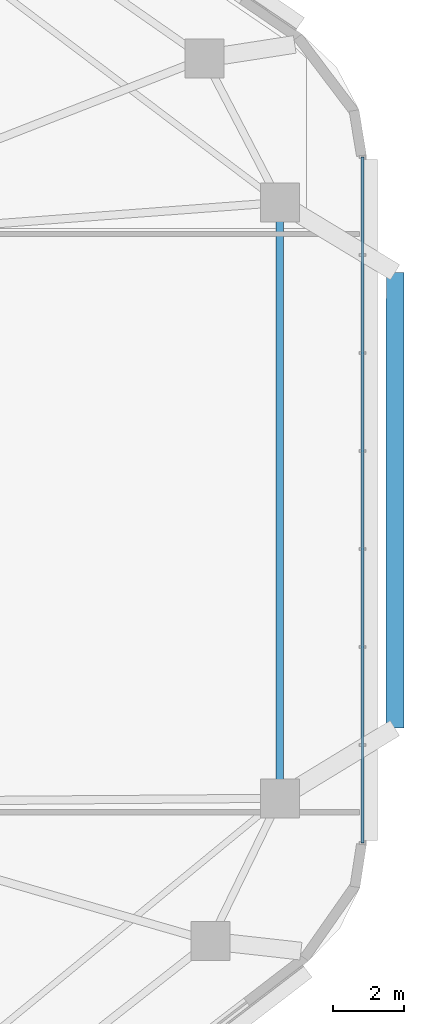
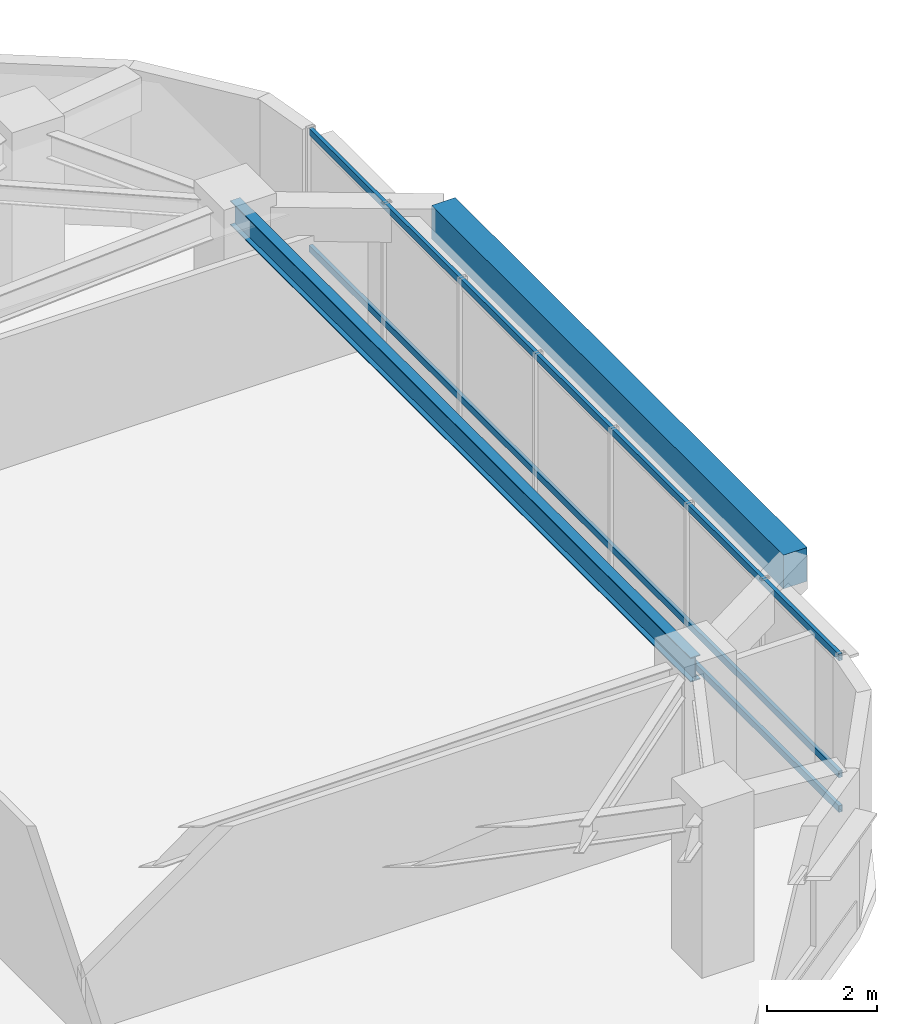
# One storey, part 3 of 14: 3 members, 2 beams, 1 element without a shape of its own.
"""IFC4 building model written with IfcOpenShell, lengths in metres."""

from ifc_helpers import new_model, si_unit, direction, frame, origin, origin_2d, place, context, subcontext, project, spatial, rectangle, hollow_rectangle, i_section, extrude, material, material_profile, profile_set, type_object, element, aggregate, save


model = new_model("IFC4")

# Units and contexts
model_context = context("Model", 3, precision=1e-05, world=origin(), true_north=direction((0.0, 1.0)))
body_context = subcontext(model_context, "Body", "Model", "MODEL_VIEW")
ifc_project = project(units=[si_unit("LENGTHUNIT", "METRE"), si_unit("AREAUNIT", "SQUARE_METRE"), si_unit("VOLUMEUNIT", "CUBIC_METRE"), si_unit("PLANEANGLEUNIT", "RADIAN"), si_unit("MASSUNIT", "GRAM", prefix="KILO")], contexts=[model_context])

# Site, building, storey
site_placement = place(None, origin())
site = spatial("IfcSite", under=ifc_project, at=site_placement, CompositionType="ELEMENT")
building_placement = place(site_placement, origin())
building = spatial("IfcBuilding", under=site, at=building_placement, Name="Zulverin Broadcast Headquarters", CompositionType="ELEMENT")
storey_placement = place(building_placement, frame((0.0, 0.0, 85.800048828125)))
storey = spatial("IfcBuildingStorey", under=building, at=storey_placement, Name="L21", CompositionType="ELEMENT", Elevation=85.800048828125)

# Beams
ifc_material_1 = material(Name="Concrete C40/50", Category="concrete")
ifc_material_profile_1 = material_profile(ifc_material_1, rectangle(XDim=0.5, YDim=0.75, at=origin_2d()), Name="Concrete C40/50", Category="concrete")
ifc_profile_set_1 = profile_set([ifc_material_profile_1], Name="Concrete C40/50")
beam_type_1 = type_object("IfcBeamType", Name="BM-RC-500x750", PredefinedType="BEAM", material=ifc_profile_set_1)
beam_1_placement = place(storey_placement, frame((66.994384765625, 19.418212890625, 3.14990234375), z_axis=(0.000531985561, 0.999999858496, 0.0), x_axis=(-0.999999858496, 0.000531985561, 0.0)))
element("IfcBeam", 1, at=beam_1_placement, inside=storey, type_object=beam_type_1, Name="L22 Balcony Outer Edge Trimmer Beam BAL_E", PredefinedType="BEAM", context=body_context, shape_type="SweptSolid", body=[
    extrude(rectangle(XDim=0.5, YDim=0.75, at=origin_2d()), origin(), (0.0, 0.0, 1.0), 12.849853515625),
])
ifc_material_2 = material(Name="Structural steel S355JR", Category="steel")
ifc_material_profile_2 = material_profile(ifc_material_2, i_section(OverallWidth=0.2119140625, OverallDepth=0.54443359375, WebThickness=0.0126953125, FlangeThickness=0.021240234375, at=origin_2d()), Name="Structural steel S355JR", Category="steel")
ifc_profile_set_2 = profile_set([ifc_material_profile_2], Name="Structural steel S355JR")
beam_type_2 = type_object("IfcBeamType", Name="BM-UB-533", PredefinedType="SPANDREL", material=ifc_profile_set_2)
beam_2_placement = place(storey_placement, frame((63.75, 17.439697265625, 3.252685546875), z_axis=(0.0, 1.0, 0.0), x_axis=(-1.0, 0.0, 0.0)))
element("IfcBeam", 2, at=beam_2_placement, inside=storey, type_object=beam_type_2, Name="L21 Perimeter Spandrel Beam SP-05", PredefinedType="SPANDREL", context=body_context, shape_type="SweptSolid", body=[
    extrude(i_section(OverallWidth=0.2119140625, OverallDepth=0.54443359375, WebThickness=0.0126953125, FlangeThickness=0.021240234375, at=origin_2d()), origin(), (0.0, 0.0, 1.0), 16.79541015625),
])

# Curtain wall, members
ifc_material_3 = material(Name="Low-zone ribbon unitised curtain wall", Category="aluminium")
curtain_wall_type = type_object("IfcCurtainWallType", Name="CW-TWR-LOW", PredefinedType="USERDEFINED", material=ifc_material_3)
curtain_wall_placement = place(storey_placement, origin())
curtain_wall = element("IfcCurtainWall", 3, at=curtain_wall_placement, inside=storey, type_object=curtain_wall_type, Name="L21 Unitised Curtain Wall CW-L21-E3", ObjectType="UNITISED CURTAIN WALL", PredefinedType="USERDEFINED")
ifc_material_4 = material(Name="Anodized pale-metal aluminium alloy 6063-T6", Category="aluminium")
ifc_material_profile_3 = material_profile(ifc_material_4, hollow_rectangle(XDim=0.074951171875, YDim=0.14990234375, WallThickness=0.0048828125, at=origin_2d()), Name="Anodized pale-metal aluminium alloy 6063-T6", Category="aluminium")
ifc_profile_set_3 = profile_set([ifc_material_profile_3], Name="Anodized pale-metal aluminium alloy 6063-T6")
member_type = type_object("IfcMemberType", Name="CW-TRN-150", PredefinedType="USERDEFINED", material=ifc_profile_set_3)
member_1_placement = place(storey_placement, frame((66.080078125, 16.183349609375, 0.074951171875), z_axis=(0.0, 1.0, 0.0), x_axis=(-1.0, 0.0, 0.0)))
member_1 = element("IfcMember", 4, at=member_1_placement, type_object=member_type, Name="CW-L21-E3 Transom 0", ObjectType="TRANSOM", PredefinedType="USERDEFINED", context=body_context, shape_type="SweptSolid", body=[
    extrude(hollow_rectangle(XDim=0.074951171875, YDim=0.14990234375, WallThickness=0.0048828125, at=origin_2d()), origin(), (0.0, 0.0, 1.0), 19.3310546875),
])
member_2_placement = place(storey_placement, frame((66.080078125, 16.183349609375, 0.845947265625), z_axis=(0.0, 1.0, 0.0), x_axis=(-1.0, 0.0, 0.0)))
member_2 = element("IfcMember", 5, at=member_2_placement, type_object=member_type, Name="CW-L21-E3 Transom 1", ObjectType="TRANSOM", PredefinedType="USERDEFINED", context=body_context, shape_type="SweptSolid", body=[
    extrude(hollow_rectangle(XDim=0.074951171875, YDim=0.14990234375, WallThickness=0.0048828125, at=origin_2d()), origin(), (0.0, 0.0, 1.0), 19.3310546875),
])
member_3_placement = place(storey_placement, frame((66.080078125, 16.183349609375, 3.449951171875), z_axis=(0.0, 1.0, 0.0), x_axis=(-1.0, 0.0, 0.0)))
member_3 = element("IfcMember", 6, at=member_3_placement, type_object=member_type, Name="CW-L21-E3 Transom 2", ObjectType="TRANSOM", PredefinedType="USERDEFINED", context=body_context, shape_type="SweptSolid", body=[
    extrude(hollow_rectangle(XDim=0.074951171875, YDim=0.14990234375, WallThickness=0.0048828125, at=origin_2d()), origin(), (0.0, 0.0, 1.0), 19.3310546875),
])
aggregate(curtain_wall, [member_1, member_2, member_3])

save(model, "model.ifc")
